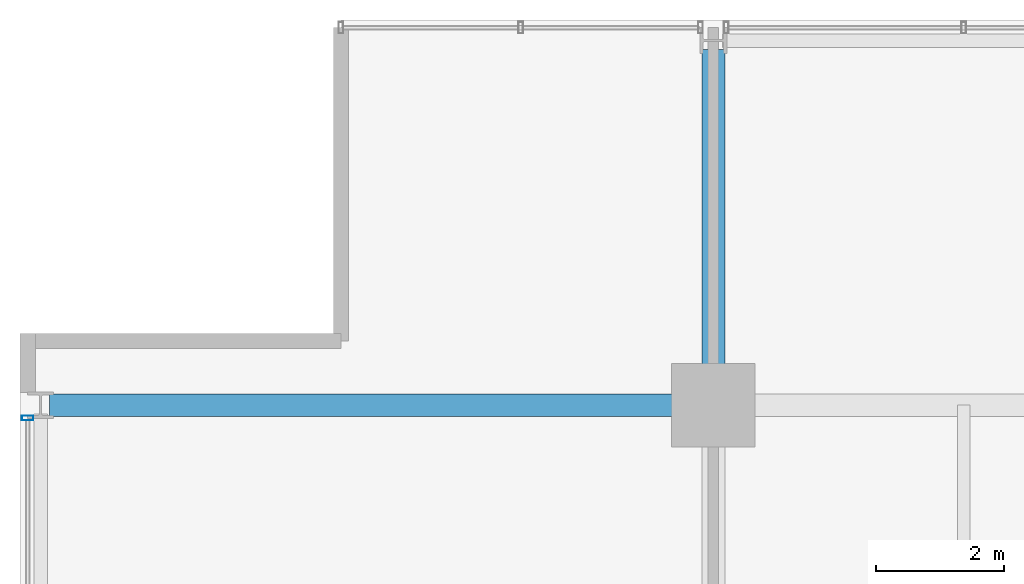
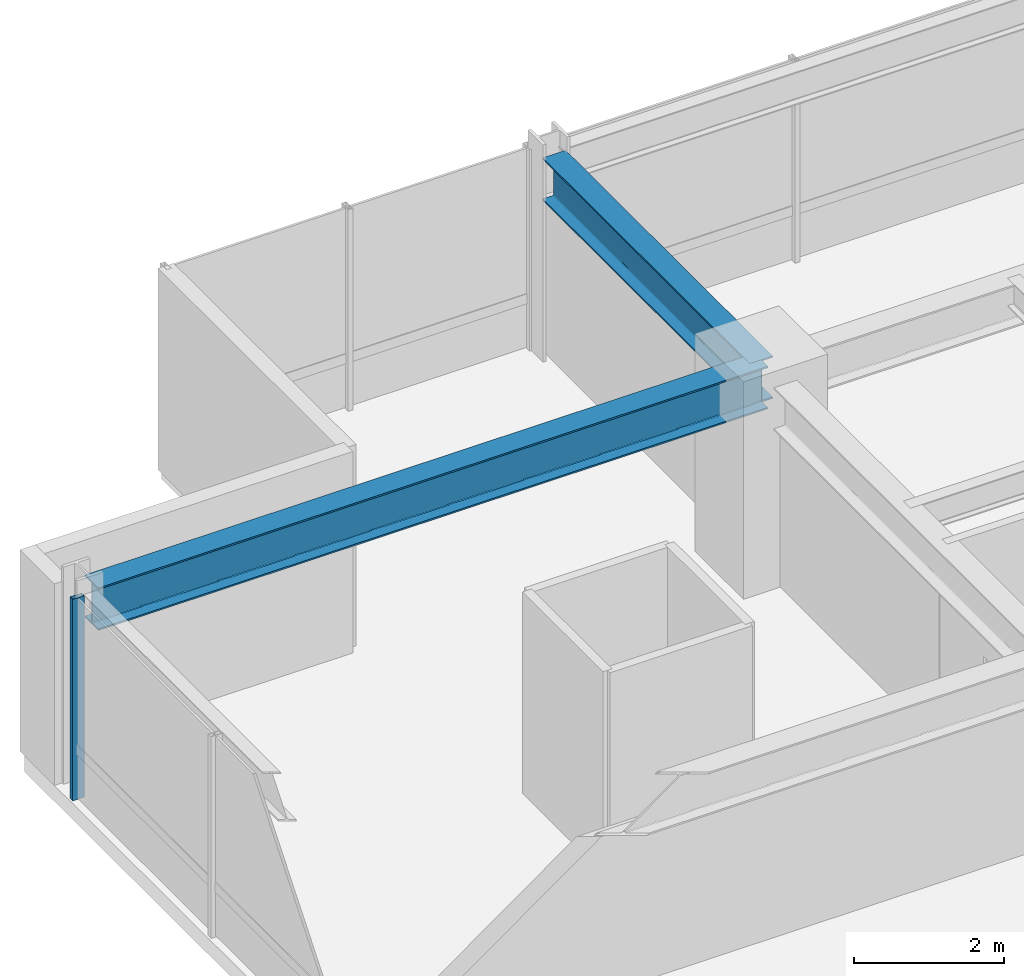
# One storey, part 19 of 33: 2 beams, 1 member, 1 element without a shape of its own.
"""IFC4 building model written with IfcOpenShell, lengths in metres."""

from ifc_helpers import new_model, si_unit, direction, frame, origin, origin_2d, place, context, subcontext, project, spatial, hollow_rectangle, i_section, extrude, material, layer, layer_set, material_profile, profile_set, type_object, element, aggregate, save


model = new_model("IFC4")

# Units and contexts
model_context = context("Model", 3, precision=1e-05, world=origin(), true_north=direction((0.0, 1.0)))
body_context = subcontext(model_context, "Body", "Model", "MODEL_VIEW")
ifc_project = project(units=[si_unit("LENGTHUNIT", "METRE"), si_unit("AREAUNIT", "SQUARE_METRE"), si_unit("VOLUMEUNIT", "CUBIC_METRE"), si_unit("PLANEANGLEUNIT", "RADIAN"), si_unit("MASSUNIT", "GRAM", prefix="KILO")], contexts=[model_context])

# Site, building, storey
site_placement = place(None, origin())
site = spatial("IfcSite", under=ifc_project, at=site_placement, CompositionType="ELEMENT")
building_placement = place(site_placement, origin())
building = spatial("IfcBuilding", under=site, at=building_placement, Name="Drelvath Grand Hotel", CompositionType="ELEMENT")
storey_placement = place(building_placement, frame((0.0, 0.0, 161.050048828125)))
storey = spatial("IfcBuildingStorey", under=building, at=storey_placement, Name="L41", CompositionType="ELEMENT", Elevation=161.050048828125)

# Curtain wall, member
ifc_material_1 = material(Name="Brushed Pale-Silver Anodised Aluminium Frame", Category="aluminium")
ifc_layer = layer(ifc_material_1, 0.199951171875)
ifc_layer_set = layer_set([ifc_layer], Name="Brushed Pale-Silver Anodised Aluminium Frame")
curtain_wall_type = type_object("IfcCurtainWallType", Name="Stick Curtain Wall CW-04 Brushed Silver Upper-Mid", PredefinedType="NOTDEFINED", material=ifc_layer_set)
curtain_wall_placement = place(storey_placement, origin())
curtain_wall = element("IfcCurtainWall", 1, at=curtain_wall_placement, inside=storey, type_object=curtain_wall_type, Name="L41 CW-04 Curtain Wall CW04-L41-WN2", PredefinedType="NOTDEFINED")
ifc_material_profile_1 = material_profile(ifc_material_1, hollow_rectangle(XDim=0.074951171875, YDim=0.179931640625, WallThickness=0.0048828125, at=origin_2d()), Name="HSS180X75X5")
ifc_profile_set_1 = profile_set([ifc_material_profile_1], Name="Brushed Pale-Silver Anodised Aluminium Frame")
member_type = type_object("IfcMemberType", Name="Curtain Wall Vertical Mullion CW-04 HSS180X75X5", PredefinedType="MULLION", material=ifc_profile_set_1)
member_placement = place(storey_placement, frame((-26.8798828125, 43.0, 0.0), z_axis=(0.0, 0.0, 1.0), x_axis=(0.0, 1.0, 0.0)))
member = element("IfcMember", 2, at=member_placement, type_object=member_type, Name="CW04-L41-WN2 Mullion 3", PredefinedType="MULLION", context=body_context, shape_type="SweptSolid", body=[
    extrude(hollow_rectangle(XDim=0.074951171875, YDim=0.179931640625, WallThickness=0.0048828125, at=origin_2d()), origin(), (0.0, 0.0, 1.0), 3.2900390625),
])
aggregate(curtain_wall, [member])

# Beams
ifc_material_2 = material(Name="Steel ASTM A992 Gr 50", Category="steel")
ifc_material_profile_2 = material_profile(ifc_material_2, i_section(OverallWidth=0.354736328125, OverallDepth=0.695556640625, WebThickness=0.015380859375, FlangeThickness=0.025146484375, FilletRadius=0.02392578125, at=origin_2d()), Name="W27X146")
ifc_profile_set_2 = profile_set([ifc_material_profile_2], Name="Steel ASTM A992 Gr 50")
beam_type = type_object("IfcBeamType", Name="Primary Floor Girder W27X146", PredefinedType="BEAM", material=ifc_profile_set_2)
beam_1_placement = place(storey_placement, frame((-26.5400390625, 43.199951171875, 2.942138671875), z_axis=(1.0, 0.0, 0.0), x_axis=(0.0, 1.0, 0.0)))
element("IfcBeam", 3, at=beam_1_placement, inside=storey, type_object=beam_type, Name="L41 West Grid Girder G", PredefinedType="BEAM", context=body_context, shape_type="SweptSolid", body=[
    extrude(i_section(OverallWidth=0.354736328125, OverallDepth=0.695556640625, WebThickness=0.015380859375, FlangeThickness=0.025146484375, FilletRadius=0.02392578125, at=origin_2d()), origin(), (0.0, 0.0, 1.0), 10.340087890625),
])
beam_2_placement = place(storey_placement, frame((-16.199951171875, 43.199951171875, 2.942138671875), z_axis=(0.0, 1.0, 0.0), x_axis=(-1.0, 0.0, 0.0)))
element("IfcBeam", 4, at=beam_2_placement, inside=storey, type_object=beam_type, Name="L41 North Grid Girder 3", PredefinedType="BEAM", context=body_context, shape_type="SweptSolid", body=[
    extrude(i_section(OverallWidth=0.354736328125, OverallDepth=0.695556640625, WebThickness=0.015380859375, FlangeThickness=0.025146484375, FilletRadius=0.02392578125, at=origin_2d()), origin(), (0.0, 0.0, 1.0), 5.5400390625),
])

save(model, "model.ifc")
